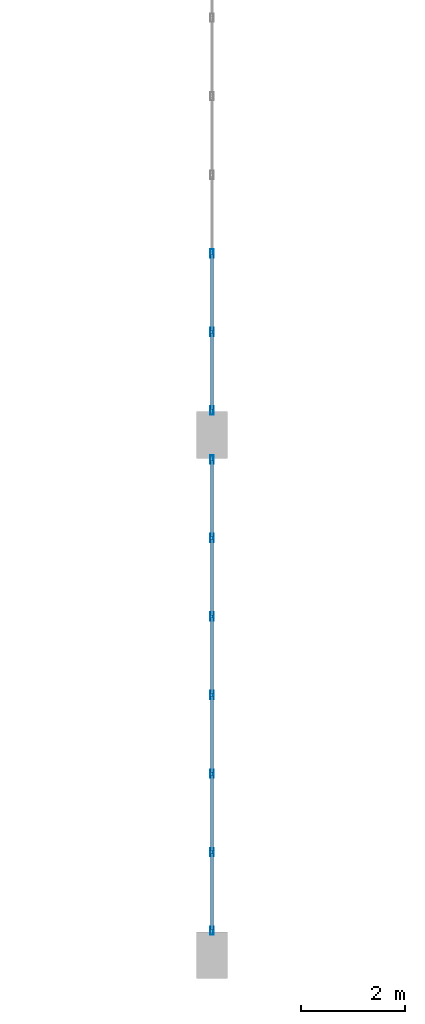
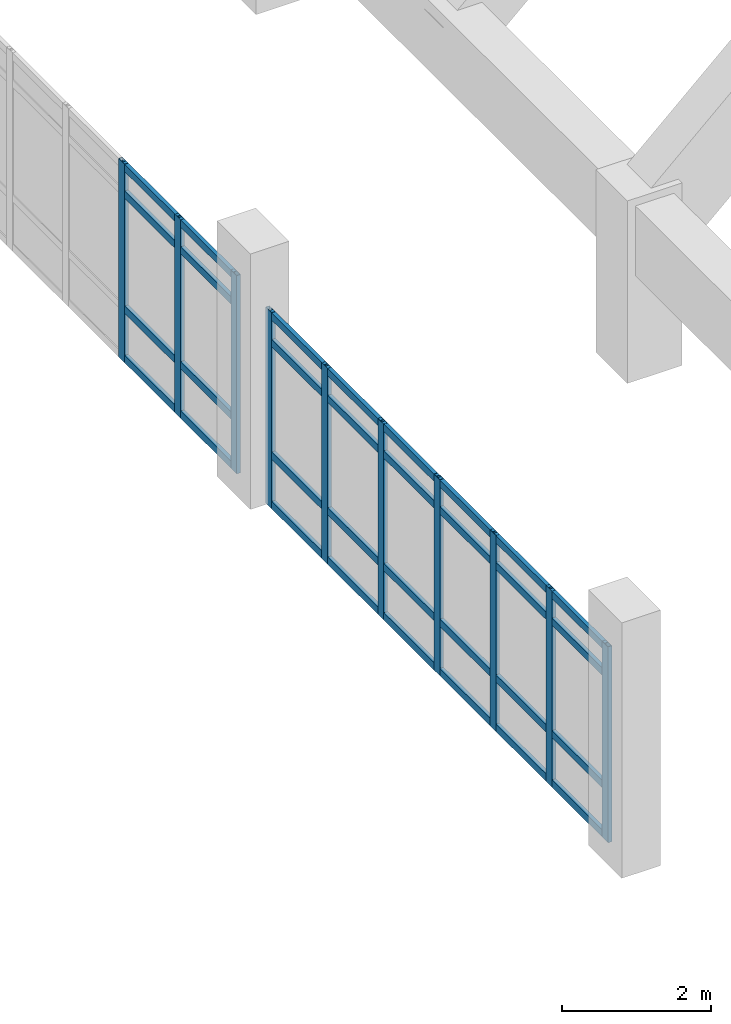
# One storey, part 14 of 111: 42 members, 2 elements without a shape of their own.
"""IFC4 building model written with IfcOpenShell, lengths in metres."""

from ifc_helpers import new_model, si_unit, direction, frame, origin, origin_2d, place, context, subcontext, project, spatial, hollow_rectangle, extrude, material, layer, layer_set, material_profile, profile_set, type_object, element, aggregate, save


model = new_model("IFC4")

# Units and contexts
model_context = context("Model", 3, precision=1e-05, world=origin(), true_north=direction((0.0, 1.0)))
body_context = subcontext(model_context, "Body", "Model", "MODEL_VIEW")
ifc_project = project(units=[si_unit("LENGTHUNIT", "METRE"), si_unit("AREAUNIT", "SQUARE_METRE"), si_unit("VOLUMEUNIT", "CUBIC_METRE"), si_unit("PLANEANGLEUNIT", "RADIAN"), si_unit("MASSUNIT", "GRAM", prefix="KILO")], contexts=[model_context])

# Site, building, storey
site_placement = place(None, origin())
site = spatial("IfcSite", under=ifc_project, at=site_placement, CompositionType="ELEMENT")
building_placement = place(site_placement, origin())
building = spatial("IfcBuilding", under=site, at=building_placement, Name="Mersad Railyard Sports Hall", CompositionType="ELEMENT")
storey_placement = place(building_placement, frame((0.0, 0.0, 9.0)))
storey = spatial("IfcBuildingStorey", under=building, at=storey_placement, Name="L02", CompositionType="ELEMENT", Elevation=9.0)

# Curtain wall, members
ifc_material = material(Name="Aluminium 6063-T6", Category="aluminium")
ifc_layer_1 = layer(ifc_material, 0.159912109375)
ifc_layer_set_1 = layer_set([ifc_layer_1], Name="Aluminium 6063-T6")
curtain_wall_type_1 = type_object("IfcCurtainWallType", Name="ARC-CW-CW15", PredefinedType="USERDEFINED", material=ifc_layer_set_1)
curtain_wall_1_placement = place(storey_placement, origin())
curtain_wall_1 = element("IfcCurtainWall", 1, at=curtain_wall_1_placement, inside=storey, type_object=curtain_wall_type_1, Name="Curtain wall CW15-0065", ObjectType="CURTAIN WALL", PredefinedType="USERDEFINED")
ifc_material_profile_1 = material_profile(ifc_material, hollow_rectangle(XDim=0.06005859375, YDim=0.159912109375, WallThickness=0.00390625, at=origin_2d()), Name="AL MULLION 60x160x4")
ifc_profile_set_1 = profile_set([ifc_material_profile_1], Name="Aluminium 6063-T6")
member_type_1 = type_object("IfcMemberType", Name="ARC-CW-MUL01", PredefinedType="MULLION", material=ifc_profile_set_1)
member_1_placement = place(storey_placement, frame((131.0, 3.969970703125, -0.02001953125), z_axis=(0.0, 0.0, 1.0), x_axis=(1.0, 0.0, 0.0)))
member_1 = element("IfcMember", 2, at=member_1_placement, type_object=member_type_1, Name="CW15 Mullion 1", PredefinedType="MULLION", context=body_context, shape_type="SweptSolid", body=[
    extrude(hollow_rectangle(XDim=0.06005859375, YDim=0.159912109375, WallThickness=0.00390625, at=origin_2d()), origin(), (0.0, 0.0, 1.0), 3.219970703125),
])
member_2_placement = place(storey_placement, frame((131.0, 5.47998046875, -0.02001953125), z_axis=(0.0, 0.0, 1.0), x_axis=(1.0, 0.0, 0.0)))
member_2 = element("IfcMember", 3, at=member_2_placement, type_object=member_type_1, Name="CW15 Mullion 2", PredefinedType="MULLION", context=body_context, shape_type="SweptSolid", body=[
    extrude(hollow_rectangle(XDim=0.06005859375, YDim=0.159912109375, WallThickness=0.00390625, at=origin_2d()), origin(), (0.0, 0.0, 1.0), 3.219970703125),
])
member_3_placement = place(storey_placement, frame((131.0, 6.989990234375, -0.02001953125), z_axis=(0.0, 0.0, 1.0), x_axis=(1.0, 0.0, 0.0)))
member_3 = element("IfcMember", 4, at=member_3_placement, type_object=member_type_1, Name="CW15 Mullion 3", PredefinedType="MULLION", context=body_context, shape_type="SweptSolid", body=[
    extrude(hollow_rectangle(XDim=0.06005859375, YDim=0.159912109375, WallThickness=0.00390625, at=origin_2d()), origin(), (0.0, 0.0, 1.0), 3.219970703125),
])
member_4_placement = place(storey_placement, frame((131.0, 8.5, -0.02001953125), z_axis=(0.0, 0.0, 1.0), x_axis=(1.0, 0.0, 0.0)))
member_4 = element("IfcMember", 5, at=member_4_placement, type_object=member_type_1, Name="CW15 Mullion 4", PredefinedType="MULLION", context=body_context, shape_type="SweptSolid", body=[
    extrude(hollow_rectangle(XDim=0.06005859375, YDim=0.159912109375, WallThickness=0.00390625, at=origin_2d()), origin(), (0.0, 0.0, 1.0), 3.219970703125),
])
member_5_placement = place(storey_placement, frame((131.0, 10.010009765625, -0.02001953125), z_axis=(0.0, 0.0, 1.0), x_axis=(1.0, 0.0, 0.0)))
member_5 = element("IfcMember", 6, at=member_5_placement, type_object=member_type_1, Name="CW15 Mullion 5", PredefinedType="MULLION", context=body_context, shape_type="SweptSolid", body=[
    extrude(hollow_rectangle(XDim=0.06005859375, YDim=0.159912109375, WallThickness=0.00390625, at=origin_2d()), origin(), (0.0, 0.0, 1.0), 3.219970703125),
])
member_6_placement = place(storey_placement, frame((131.0, 11.52001953125, -0.02001953125), z_axis=(0.0, 0.0, 1.0), x_axis=(1.0, 0.0, 0.0)))
member_6 = element("IfcMember", 7, at=member_6_placement, type_object=member_type_1, Name="CW15 Mullion 6", PredefinedType="MULLION", context=body_context, shape_type="SweptSolid", body=[
    extrude(hollow_rectangle(XDim=0.06005859375, YDim=0.159912109375, WallThickness=0.00390625, at=origin_2d()), origin(), (0.0, 0.0, 1.0), 3.219970703125),
])
member_7_placement = place(storey_placement, frame((131.0, 13.030029296875, -0.02001953125), z_axis=(0.0, 0.0, 1.0), x_axis=(1.0, 0.0, 0.0)))
member_7 = element("IfcMember", 8, at=member_7_placement, type_object=member_type_1, Name="CW15 Mullion 7", PredefinedType="MULLION", context=body_context, shape_type="SweptSolid", body=[
    extrude(hollow_rectangle(XDim=0.06005859375, YDim=0.159912109375, WallThickness=0.00390625, at=origin_2d()), origin(), (0.0, 0.0, 1.0), 3.219970703125),
])

ifc_layer_2 = layer(ifc_material, 0.159912109375)
ifc_layer_set_2 = layer_set([ifc_layer_2], Name="Aluminium 6063-T6")
curtain_wall_type_2 = type_object("IfcCurtainWallType", Name="ARC-CW-CW16", PredefinedType="USERDEFINED", material=ifc_layer_set_2)
curtain_wall_2_placement = place(storey_placement, origin())
curtain_wall_2 = element("IfcCurtainWall", 9, at=curtain_wall_2_placement, inside=storey, type_object=curtain_wall_type_2, Name="Curtain wall CW16-0067", ObjectType="CURTAIN WALL", PredefinedType="USERDEFINED")
member_8_placement = place(storey_placement, frame((131.0, 13.969970703125, -0.02001953125), z_axis=(0.0, 0.0, 1.0), x_axis=(1.0, 0.0, 0.0)))
member_8 = element("IfcMember", 10, at=member_8_placement, type_object=member_type_1, Name="CW16 Mullion 1", PredefinedType="MULLION", context=body_context, shape_type="SweptSolid", body=[
    extrude(hollow_rectangle(XDim=0.06005859375, YDim=0.159912109375, WallThickness=0.00390625, at=origin_2d()), origin(), (0.0, 0.0, 1.0), 3.260009765625),
])
member_9_placement = place(storey_placement, frame((131.0, 15.47998046875, -0.02001953125), z_axis=(0.0, 0.0, 1.0), x_axis=(1.0, 0.0, 0.0)))
member_9 = element("IfcMember", 11, at=member_9_placement, type_object=member_type_1, Name="CW16 Mullion 2", PredefinedType="MULLION", context=body_context, shape_type="SweptSolid", body=[
    extrude(hollow_rectangle(XDim=0.06005859375, YDim=0.159912109375, WallThickness=0.00390625, at=origin_2d()), origin(), (0.0, 0.0, 1.0), 3.260009765625),
])
member_10_placement = place(storey_placement, frame((131.0, 16.989990234375, -0.02001953125), z_axis=(0.0, 0.0, 1.0), x_axis=(1.0, 0.0, 0.0)))
member_10 = element("IfcMember", 12, at=member_10_placement, type_object=member_type_1, Name="CW16 Mullion 3", PredefinedType="MULLION", context=body_context, shape_type="SweptSolid", body=[
    extrude(hollow_rectangle(XDim=0.06005859375, YDim=0.159912109375, WallThickness=0.00390625, at=origin_2d()), origin(), (0.0, 0.0, 1.0), 3.260009765625),
])

# Member
ifc_material_profile_2 = material_profile(ifc_material, hollow_rectangle(XDim=0.06005859375, YDim=0.1201171875, WallThickness=0.00390625, at=origin_2d()), Name="AL TRANSOM 60x120x4")
ifc_profile_set_2 = profile_set([ifc_material_profile_2], Name="Aluminium 6063-T6")
member_type_2 = type_object("IfcMemberType", Name="ARC-CW-TRN01", PredefinedType="USERDEFINED", material=ifc_profile_set_2)
member_11_placement = place(storey_placement, frame((131.0, 3.989990234375, 0.0400390625), z_axis=(0.0, 1.0, 0.0), x_axis=(-1.0, 0.0, 0.0)))
member_11 = element("IfcMember", 13, at=member_11_placement, type_object=member_type_2, Name="CW15 Transom 1-1", ObjectType="TRANSOM", PredefinedType="USERDEFINED", context=body_context, shape_type="SweptSolid", body=[
    extrude(hollow_rectangle(XDim=0.06005859375, YDim=0.1201171875, WallThickness=0.00390625, at=origin_2d()), origin(), (0.0, 0.0, 1.0), 1.469970703125),
])

member_12_placement = place(storey_placement, frame((131.0, 5.5, 0.0400390625), z_axis=(0.0, 1.0, 0.0), x_axis=(-1.0, 0.0, 0.0)))
member_12 = element("IfcMember", 14, at=member_12_placement, type_object=member_type_2, Name="CW15 Transom 1-2", ObjectType="TRANSOM", PredefinedType="USERDEFINED", context=body_context, shape_type="SweptSolid", body=[
    extrude(hollow_rectangle(XDim=0.06005859375, YDim=0.1201171875, WallThickness=0.00390625, at=origin_2d()), origin(), (0.0, 0.0, 1.0), 1.469970703125),
])

member_13_placement = place(storey_placement, frame((131.0, 7.010009765625, 0.0400390625), z_axis=(0.0, 1.0, 0.0), x_axis=(-1.0, 0.0, 0.0)))
member_13 = element("IfcMember", 15, at=member_13_placement, type_object=member_type_2, Name="CW15 Transom 1-3", ObjectType="TRANSOM", PredefinedType="USERDEFINED", context=body_context, shape_type="SweptSolid", body=[
    extrude(hollow_rectangle(XDim=0.06005859375, YDim=0.1201171875, WallThickness=0.00390625, at=origin_2d()), origin(), (0.0, 0.0, 1.0), 1.469970703125),
])

member_14_placement = place(storey_placement, frame((131.0, 8.52001953125, 0.0400390625), z_axis=(0.0, 1.0, 0.0), x_axis=(-1.0, 0.0, 0.0)))
member_14 = element("IfcMember", 16, at=member_14_placement, type_object=member_type_2, Name="CW15 Transom 1-4", ObjectType="TRANSOM", PredefinedType="USERDEFINED", context=body_context, shape_type="SweptSolid", body=[
    extrude(hollow_rectangle(XDim=0.06005859375, YDim=0.1201171875, WallThickness=0.00390625, at=origin_2d()), origin(), (0.0, 0.0, 1.0), 1.469970703125),
])

member_15_placement = place(storey_placement, frame((131.0, 10.030029296875, 0.0400390625), z_axis=(0.0, 1.0, 0.0), x_axis=(-1.0, 0.0, 0.0)))
member_15 = element("IfcMember", 17, at=member_15_placement, type_object=member_type_2, Name="CW15 Transom 1-5", ObjectType="TRANSOM", PredefinedType="USERDEFINED", context=body_context, shape_type="SweptSolid", body=[
    extrude(hollow_rectangle(XDim=0.06005859375, YDim=0.1201171875, WallThickness=0.00390625, at=origin_2d()), origin(), (0.0, 0.0, 1.0), 1.469970703125),
])

member_16_placement = place(storey_placement, frame((131.0, 11.5400390625, 0.0400390625), z_axis=(0.0, 1.0, 0.0), x_axis=(-1.0, 0.0, 0.0)))
member_16 = element("IfcMember", 18, at=member_16_placement, type_object=member_type_2, Name="CW15 Transom 1-6", ObjectType="TRANSOM", PredefinedType="USERDEFINED", context=body_context, shape_type="SweptSolid", body=[
    extrude(hollow_rectangle(XDim=0.06005859375, YDim=0.1201171875, WallThickness=0.00390625, at=origin_2d()), origin(), (0.0, 0.0, 1.0), 1.469970703125),
])

member_17_placement = place(storey_placement, frame((131.0, 3.989990234375, 0.85009765625), z_axis=(0.0, 1.0, 0.0), x_axis=(-1.0, 0.0, 0.0)))
member_17 = element("IfcMember", 19, at=member_17_placement, type_object=member_type_2, Name="CW15 Transom 2-1", ObjectType="TRANSOM", PredefinedType="USERDEFINED", context=body_context, shape_type="SweptSolid", body=[
    extrude(hollow_rectangle(XDim=0.06005859375, YDim=0.1201171875, WallThickness=0.00390625, at=origin_2d()), origin(), (0.0, 0.0, 1.0), 1.469970703125),
])

member_18_placement = place(storey_placement, frame((131.0, 5.5, 0.85009765625), z_axis=(0.0, 1.0, 0.0), x_axis=(-1.0, 0.0, 0.0)))
member_18 = element("IfcMember", 20, at=member_18_placement, type_object=member_type_2, Name="CW15 Transom 2-2", ObjectType="TRANSOM", PredefinedType="USERDEFINED", context=body_context, shape_type="SweptSolid", body=[
    extrude(hollow_rectangle(XDim=0.06005859375, YDim=0.1201171875, WallThickness=0.00390625, at=origin_2d()), origin(), (0.0, 0.0, 1.0), 1.469970703125),
])

member_19_placement = place(storey_placement, frame((131.0, 7.010009765625, 0.85009765625), z_axis=(0.0, 1.0, 0.0), x_axis=(-1.0, 0.0, 0.0)))
member_19 = element("IfcMember", 21, at=member_19_placement, type_object=member_type_2, Name="CW15 Transom 2-3", ObjectType="TRANSOM", PredefinedType="USERDEFINED", context=body_context, shape_type="SweptSolid", body=[
    extrude(hollow_rectangle(XDim=0.06005859375, YDim=0.1201171875, WallThickness=0.00390625, at=origin_2d()), origin(), (0.0, 0.0, 1.0), 1.469970703125),
])

member_20_placement = place(storey_placement, frame((131.0, 8.52001953125, 0.85009765625), z_axis=(0.0, 1.0, 0.0), x_axis=(-1.0, 0.0, 0.0)))
member_20 = element("IfcMember", 22, at=member_20_placement, type_object=member_type_2, Name="CW15 Transom 2-4", ObjectType="TRANSOM", PredefinedType="USERDEFINED", context=body_context, shape_type="SweptSolid", body=[
    extrude(hollow_rectangle(XDim=0.06005859375, YDim=0.1201171875, WallThickness=0.00390625, at=origin_2d()), origin(), (0.0, 0.0, 1.0), 1.469970703125),
])

member_21_placement = place(storey_placement, frame((131.0, 10.030029296875, 0.85009765625), z_axis=(0.0, 1.0, 0.0), x_axis=(-1.0, 0.0, 0.0)))
member_21 = element("IfcMember", 23, at=member_21_placement, type_object=member_type_2, Name="CW15 Transom 2-5", ObjectType="TRANSOM", PredefinedType="USERDEFINED", context=body_context, shape_type="SweptSolid", body=[
    extrude(hollow_rectangle(XDim=0.06005859375, YDim=0.1201171875, WallThickness=0.00390625, at=origin_2d()), origin(), (0.0, 0.0, 1.0), 1.469970703125),
])

member_22_placement = place(storey_placement, frame((131.0, 11.5400390625, 0.85009765625), z_axis=(0.0, 1.0, 0.0), x_axis=(-1.0, 0.0, 0.0)))
member_22 = element("IfcMember", 24, at=member_22_placement, type_object=member_type_2, Name="CW15 Transom 2-6", ObjectType="TRANSOM", PredefinedType="USERDEFINED", context=body_context, shape_type="SweptSolid", body=[
    extrude(hollow_rectangle(XDim=0.06005859375, YDim=0.1201171875, WallThickness=0.00390625, at=origin_2d()), origin(), (0.0, 0.0, 1.0), 1.469970703125),
])

member_23_placement = place(storey_placement, frame((131.0, 3.989990234375, 2.699951171875), z_axis=(0.0, 1.0, 0.0), x_axis=(-1.0, 0.0, 0.0)))
member_23 = element("IfcMember", 25, at=member_23_placement, type_object=member_type_2, Name="CW15 Transom 3-1", ObjectType="TRANSOM", PredefinedType="USERDEFINED", context=body_context, shape_type="SweptSolid", body=[
    extrude(hollow_rectangle(XDim=0.06005859375, YDim=0.1201171875, WallThickness=0.00390625, at=origin_2d()), origin(), (0.0, 0.0, 1.0), 1.469970703125),
])

member_24_placement = place(storey_placement, frame((131.0, 5.5, 2.699951171875), z_axis=(0.0, 1.0, 0.0), x_axis=(-1.0, 0.0, 0.0)))
member_24 = element("IfcMember", 26, at=member_24_placement, type_object=member_type_2, Name="CW15 Transom 3-2", ObjectType="TRANSOM", PredefinedType="USERDEFINED", context=body_context, shape_type="SweptSolid", body=[
    extrude(hollow_rectangle(XDim=0.06005859375, YDim=0.1201171875, WallThickness=0.00390625, at=origin_2d()), origin(), (0.0, 0.0, 1.0), 1.469970703125),
])

member_25_placement = place(storey_placement, frame((131.0, 7.010009765625, 2.699951171875), z_axis=(0.0, 1.0, 0.0), x_axis=(-1.0, 0.0, 0.0)))
member_25 = element("IfcMember", 27, at=member_25_placement, type_object=member_type_2, Name="CW15 Transom 3-3", ObjectType="TRANSOM", PredefinedType="USERDEFINED", context=body_context, shape_type="SweptSolid", body=[
    extrude(hollow_rectangle(XDim=0.06005859375, YDim=0.1201171875, WallThickness=0.00390625, at=origin_2d()), origin(), (0.0, 0.0, 1.0), 1.469970703125),
])

member_26_placement = place(storey_placement, frame((131.0, 8.52001953125, 2.699951171875), z_axis=(0.0, 1.0, 0.0), x_axis=(-1.0, 0.0, 0.0)))
member_26 = element("IfcMember", 28, at=member_26_placement, type_object=member_type_2, Name="CW15 Transom 3-4", ObjectType="TRANSOM", PredefinedType="USERDEFINED", context=body_context, shape_type="SweptSolid", body=[
    extrude(hollow_rectangle(XDim=0.06005859375, YDim=0.1201171875, WallThickness=0.00390625, at=origin_2d()), origin(), (0.0, 0.0, 1.0), 1.469970703125),
])

member_27_placement = place(storey_placement, frame((131.0, 10.030029296875, 2.699951171875), z_axis=(0.0, 1.0, 0.0), x_axis=(-1.0, 0.0, 0.0)))
member_27 = element("IfcMember", 29, at=member_27_placement, type_object=member_type_2, Name="CW15 Transom 3-5", ObjectType="TRANSOM", PredefinedType="USERDEFINED", context=body_context, shape_type="SweptSolid", body=[
    extrude(hollow_rectangle(XDim=0.06005859375, YDim=0.1201171875, WallThickness=0.00390625, at=origin_2d()), origin(), (0.0, 0.0, 1.0), 1.469970703125),
])

member_28_placement = place(storey_placement, frame((131.0, 11.5400390625, 2.699951171875), z_axis=(0.0, 1.0, 0.0), x_axis=(-1.0, 0.0, 0.0)))
member_28 = element("IfcMember", 30, at=member_28_placement, type_object=member_type_2, Name="CW15 Transom 3-6", ObjectType="TRANSOM", PredefinedType="USERDEFINED", context=body_context, shape_type="SweptSolid", body=[
    extrude(hollow_rectangle(XDim=0.06005859375, YDim=0.1201171875, WallThickness=0.00390625, at=origin_2d()), origin(), (0.0, 0.0, 1.0), 1.469970703125),
])

member_29_placement = place(storey_placement, frame((131.0, 3.989990234375, 3.139892578125), z_axis=(0.0, 1.0, 0.0), x_axis=(-1.0, 0.0, 0.0)))
member_29 = element("IfcMember", 31, at=member_29_placement, type_object=member_type_2, Name="CW15 Transom 4-1", ObjectType="TRANSOM", PredefinedType="USERDEFINED", context=body_context, shape_type="SweptSolid", body=[
    extrude(hollow_rectangle(XDim=0.06005859375, YDim=0.1201171875, WallThickness=0.00390625, at=origin_2d()), origin(), (0.0, 0.0, 1.0), 1.469970703125),
])

member_30_placement = place(storey_placement, frame((131.0, 5.5, 3.139892578125), z_axis=(0.0, 1.0, 0.0), x_axis=(-1.0, 0.0, 0.0)))
member_30 = element("IfcMember", 32, at=member_30_placement, type_object=member_type_2, Name="CW15 Transom 4-2", ObjectType="TRANSOM", PredefinedType="USERDEFINED", context=body_context, shape_type="SweptSolid", body=[
    extrude(hollow_rectangle(XDim=0.06005859375, YDim=0.1201171875, WallThickness=0.00390625, at=origin_2d()), origin(), (0.0, 0.0, 1.0), 1.469970703125),
])

member_31_placement = place(storey_placement, frame((131.0, 7.010009765625, 3.139892578125), z_axis=(0.0, 1.0, 0.0), x_axis=(-1.0, 0.0, 0.0)))
member_31 = element("IfcMember", 33, at=member_31_placement, type_object=member_type_2, Name="CW15 Transom 4-3", ObjectType="TRANSOM", PredefinedType="USERDEFINED", context=body_context, shape_type="SweptSolid", body=[
    extrude(hollow_rectangle(XDim=0.06005859375, YDim=0.1201171875, WallThickness=0.00390625, at=origin_2d()), origin(), (0.0, 0.0, 1.0), 1.469970703125),
])

member_32_placement = place(storey_placement, frame((131.0, 8.52001953125, 3.139892578125), z_axis=(0.0, 1.0, 0.0), x_axis=(-1.0, 0.0, 0.0)))
member_32 = element("IfcMember", 34, at=member_32_placement, type_object=member_type_2, Name="CW15 Transom 4-4", ObjectType="TRANSOM", PredefinedType="USERDEFINED", context=body_context, shape_type="SweptSolid", body=[
    extrude(hollow_rectangle(XDim=0.06005859375, YDim=0.1201171875, WallThickness=0.00390625, at=origin_2d()), origin(), (0.0, 0.0, 1.0), 1.469970703125),
])

member_33_placement = place(storey_placement, frame((131.0, 10.030029296875, 3.139892578125), z_axis=(0.0, 1.0, 0.0), x_axis=(-1.0, 0.0, 0.0)))
member_33 = element("IfcMember", 35, at=member_33_placement, type_object=member_type_2, Name="CW15 Transom 4-5", ObjectType="TRANSOM", PredefinedType="USERDEFINED", context=body_context, shape_type="SweptSolid", body=[
    extrude(hollow_rectangle(XDim=0.06005859375, YDim=0.1201171875, WallThickness=0.00390625, at=origin_2d()), origin(), (0.0, 0.0, 1.0), 1.469970703125),
])

member_34_placement = place(storey_placement, frame((131.0, 11.5400390625, 3.139892578125), z_axis=(0.0, 1.0, 0.0), x_axis=(-1.0, 0.0, 0.0)))
member_34 = element("IfcMember", 36, at=member_34_placement, type_object=member_type_2, Name="CW15 Transom 4-6", ObjectType="TRANSOM", PredefinedType="USERDEFINED", context=body_context, shape_type="SweptSolid", body=[
    extrude(hollow_rectangle(XDim=0.06005859375, YDim=0.1201171875, WallThickness=0.00390625, at=origin_2d()), origin(), (0.0, 0.0, 1.0), 1.469970703125),
])

aggregate(curtain_wall_1, [member_1, member_2, member_3, member_4, member_5, member_6, member_7, member_11, member_12, member_13, member_14, member_15, member_16, member_17, member_18, member_19, member_20, member_21, member_22, member_23, member_24, member_25, member_26, member_27, member_28, member_29, member_30, member_31, member_32, member_33, member_34])

member_35_placement = place(storey_placement, frame((131.0, 13.989990234375, 0.0400390625), z_axis=(0.0, 1.0, 0.0), x_axis=(-1.0, 0.0, 0.0)))
member_35 = element("IfcMember", 37, at=member_35_placement, type_object=member_type_2, Name="CW16 Transom 1-1", ObjectType="TRANSOM", PredefinedType="USERDEFINED", context=body_context, shape_type="SweptSolid", body=[
    extrude(hollow_rectangle(XDim=0.06005859375, YDim=0.1201171875, WallThickness=0.00390625, at=origin_2d()), origin(), (0.0, 0.0, 1.0), 1.469970703125),
])

member_36_placement = place(storey_placement, frame((131.0, 15.5, 0.0400390625), z_axis=(0.0, 1.0, 0.0), x_axis=(-1.0, 0.0, 0.0)))
member_36 = element("IfcMember", 38, at=member_36_placement, type_object=member_type_2, Name="CW16 Transom 1-2", ObjectType="TRANSOM", PredefinedType="USERDEFINED", context=body_context, shape_type="SweptSolid", body=[
    extrude(hollow_rectangle(XDim=0.06005859375, YDim=0.1201171875, WallThickness=0.00390625, at=origin_2d()), origin(), (0.0, 0.0, 1.0), 1.469970703125),
])

member_37_placement = place(storey_placement, frame((131.0, 13.989990234375, 0.85009765625), z_axis=(0.0, 1.0, 0.0), x_axis=(-1.0, 0.0, 0.0)))
member_37 = element("IfcMember", 39, at=member_37_placement, type_object=member_type_2, Name="CW16 Transom 2-1", ObjectType="TRANSOM", PredefinedType="USERDEFINED", context=body_context, shape_type="SweptSolid", body=[
    extrude(hollow_rectangle(XDim=0.06005859375, YDim=0.1201171875, WallThickness=0.00390625, at=origin_2d()), origin(), (0.0, 0.0, 1.0), 1.469970703125),
])

member_38_placement = place(storey_placement, frame((131.0, 15.5, 0.85009765625), z_axis=(0.0, 1.0, 0.0), x_axis=(-1.0, 0.0, 0.0)))
member_38 = element("IfcMember", 40, at=member_38_placement, type_object=member_type_2, Name="CW16 Transom 2-2", ObjectType="TRANSOM", PredefinedType="USERDEFINED", context=body_context, shape_type="SweptSolid", body=[
    extrude(hollow_rectangle(XDim=0.06005859375, YDim=0.1201171875, WallThickness=0.00390625, at=origin_2d()), origin(), (0.0, 0.0, 1.0), 1.469970703125),
])

member_39_placement = place(storey_placement, frame((131.0, 13.989990234375, 2.739990234375), z_axis=(0.0, 1.0, 0.0), x_axis=(-1.0, 0.0, 0.0)))
member_39 = element("IfcMember", 41, at=member_39_placement, type_object=member_type_2, Name="CW16 Transom 3-1", ObjectType="TRANSOM", PredefinedType="USERDEFINED", context=body_context, shape_type="SweptSolid", body=[
    extrude(hollow_rectangle(XDim=0.06005859375, YDim=0.1201171875, WallThickness=0.00390625, at=origin_2d()), origin(), (0.0, 0.0, 1.0), 1.469970703125),
])

member_40_placement = place(storey_placement, frame((131.0, 15.5, 2.739990234375), z_axis=(0.0, 1.0, 0.0), x_axis=(-1.0, 0.0, 0.0)))
member_40 = element("IfcMember", 42, at=member_40_placement, type_object=member_type_2, Name="CW16 Transom 3-2", ObjectType="TRANSOM", PredefinedType="USERDEFINED", context=body_context, shape_type="SweptSolid", body=[
    extrude(hollow_rectangle(XDim=0.06005859375, YDim=0.1201171875, WallThickness=0.00390625, at=origin_2d()), origin(), (0.0, 0.0, 1.0), 1.469970703125),
])

member_41_placement = place(storey_placement, frame((131.0, 13.989990234375, 3.179931640625), z_axis=(0.0, 1.0, 0.0), x_axis=(-1.0, 0.0, 0.0)))
member_41 = element("IfcMember", 43, at=member_41_placement, type_object=member_type_2, Name="CW16 Transom 4-1", ObjectType="TRANSOM", PredefinedType="USERDEFINED", context=body_context, shape_type="SweptSolid", body=[
    extrude(hollow_rectangle(XDim=0.06005859375, YDim=0.1201171875, WallThickness=0.00390625, at=origin_2d()), origin(), (0.0, 0.0, 1.0), 1.469970703125),
])

member_42_placement = place(storey_placement, frame((131.0, 15.5, 3.179931640625), z_axis=(0.0, 1.0, 0.0), x_axis=(-1.0, 0.0, 0.0)))
member_42 = element("IfcMember", 44, at=member_42_placement, type_object=member_type_2, Name="CW16 Transom 4-2", ObjectType="TRANSOM", PredefinedType="USERDEFINED", context=body_context, shape_type="SweptSolid", body=[
    extrude(hollow_rectangle(XDim=0.06005859375, YDim=0.1201171875, WallThickness=0.00390625, at=origin_2d()), origin(), (0.0, 0.0, 1.0), 1.469970703125),
])

aggregate(curtain_wall_2, [member_8, member_9, member_10, member_35, member_36, member_37, member_38, member_39, member_40, member_41, member_42])

save(model, "model.ifc")
